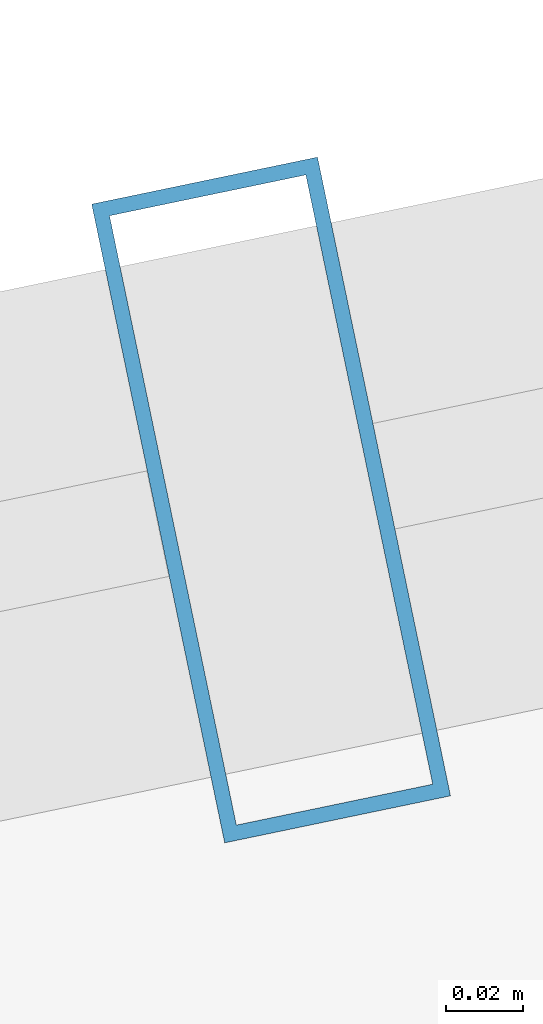
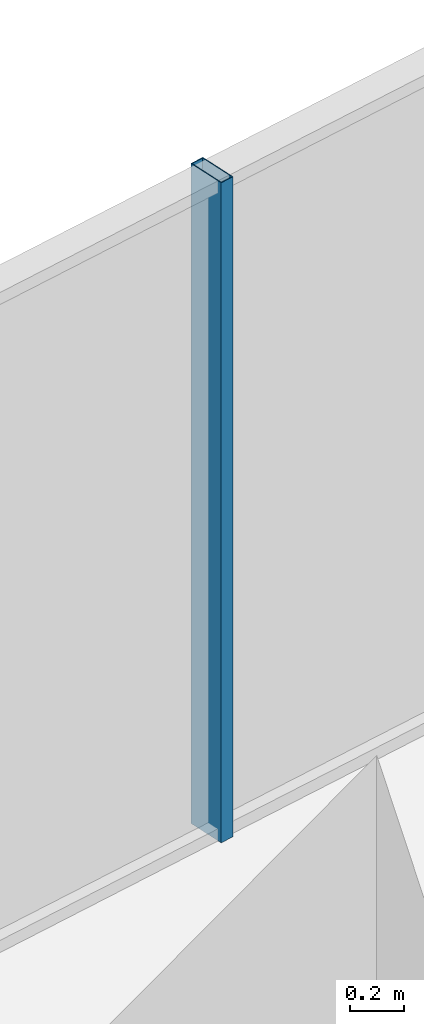
# One storey, part 25 of 38: 1 member, 1 element without a shape of its own.
"""IFC4 building model written with IfcOpenShell, lengths in metres."""

from ifc_helpers import new_model, si_unit, direction, frame, origin, origin_2d, place, context, subcontext, project, spatial, hollow_rectangle, extrude, source, transform, mapped, material, layer, layer_set, material_profile, profile_set, type_object, element, aggregate, save


model = new_model("IFC4")

# Units and contexts
model_context = context("Model", 3, precision=1e-05, world=origin(), true_north=direction((0.0, 1.0)))
body_context = subcontext(model_context, "Body", "Model", "MODEL_VIEW")
ifc_project = project(units=[si_unit("LENGTHUNIT", "METRE"), si_unit("AREAUNIT", "SQUARE_METRE"), si_unit("VOLUMEUNIT", "CUBIC_METRE"), si_unit("PLANEANGLEUNIT", "RADIAN"), si_unit("MASSUNIT", "GRAM", prefix="KILO")], contexts=[model_context])

# Site, building, storey
site_placement = place(None, origin())
site = spatial("IfcSite", under=ifc_project, at=site_placement, CompositionType="ELEMENT")
building_placement = place(site_placement, origin())
building = spatial("IfcBuilding", under=site, at=building_placement, Name="Veraguas Prism Commons", CompositionType="ELEMENT")
storey_placement = place(building_placement, frame((0.0, 0.0, 64.10009765625)))
storey = spatial("IfcBuildingStorey", under=building, at=storey_placement, Name="L17", CompositionType="ELEMENT", Elevation=64.10009765625)

# Curtain wall, member
ifc_material = material(Name="Anodised aluminium EN AW-6063 T6", Category="aluminium")
ifc_layer = layer(ifc_material, 0.169921875, Name="Unitised Flush Curtain Wall Zone 1", Category="aluminium")
ifc_layer_set = layer_set([ifc_layer], Name="Anodised aluminium EN AW-6063 T6")
curtain_wall_type = type_object("IfcCurtainWallType", Name="Unitised Flush Curtain Wall Zone 1", PredefinedType="NOTDEFINED", material=ifc_layer_set)
curtain_wall_placement = place(storey_placement, origin())
curtain_wall = element("IfcCurtainWall", 1, at=curtain_wall_placement, inside=storey, type_object=curtain_wall_type, Name="Tower Facade Curtain Wall L17-F2", PredefinedType="NOTDEFINED")
ifc_material_profile = material_profile(ifc_material, hollow_rectangle(XDim=0.06005859375, YDim=0.169921875, WallThickness=0.00390625, at=origin_2d()), Name="AL60X170X4")
ifc_profile_set = profile_set([ifc_material_profile], Name="Anodised aluminium EN AW-6063 T6")
member_type = type_object("IfcMemberType", Name="Curtain Wall Mullion Lower AL 60x170x4", PredefinedType="MULLION", material=ifc_profile_set)
shared_shape = source(origin(), body_context, "Body", "SweptSolid", [
    extrude(hollow_rectangle(XDim=0.06005859375, YDim=0.169921875, WallThickness=0.00390625, at=origin_2d()), origin(), (0.0, 0.0, 1.0), 3.0),
])
member_placement = place(storey_placement, frame((19.763916015625, 44.348388671875, 0.0), z_axis=(0.0, 0.0, 1.0), x_axis=(-0.979008848209, -0.203817749789, 0.0)))
member = element("IfcMember", 2, at=member_placement, type_object=member_type, Name="CW-Z1 Mullion 3", PredefinedType="MULLION", context=body_context, shape_type="MappedRepresentation", body=[
    mapped(shared_shape, transform((0.0, 0.0, 0.0), scale=1.0)),
])
aggregate(curtain_wall, [member])

save(model, "model.ifc")
